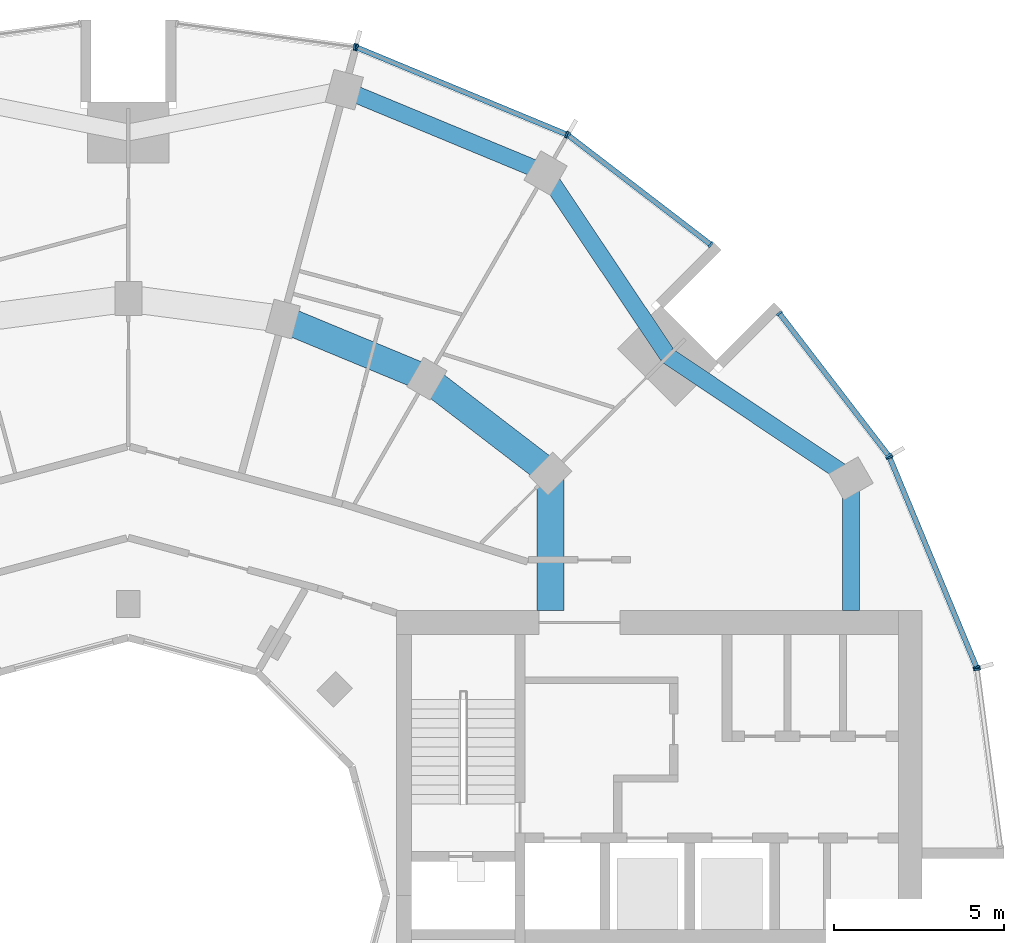
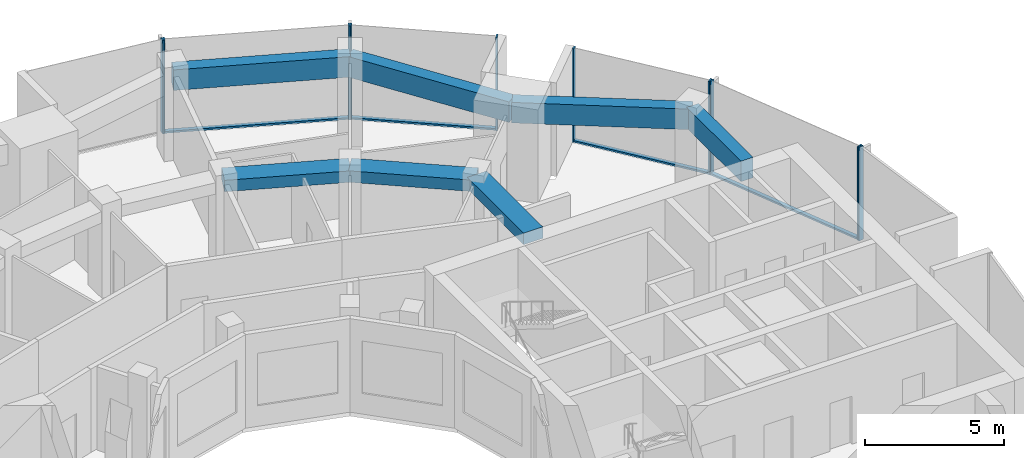
# One storey, part 6 of 15: 14 members, 7 beams, 6 elements without a shape of their own.
"""IFC4 building model written with IfcOpenShell, lengths in metres."""

import ifcopenshell
import ifcopenshell.guid

model = None  # the IFC model being written
_history = None  # IfcOwnerHistory: only IFC2X3 demands one
_inside = {}  # id of a spatial element -> (the spatial element, [elements in it])
_under = {}  # id of a project, library or spatial element -> (it, [spatial elements below it])
_declared = {}  # id of a project -> (the project, [libraries it declares])
_typed = {}  # id of a type object -> (the type object, [elements of that type])
_made_of = {}  # id of a material, layer set ... -> (it, [elements and type objects made of it])


def new_model(schema):
    """Start an empty IFC model of exactly this schema.

    Asked for "IFC4X3", IfcOpenShell would pick the latest addendum, in which some entities
    have other attributes; the version numbers below select the first issue.
    IFC2X3 requires an IfcOwnerHistory on every rooted entity: one is made here for all.
    """
    global model, _history
    if schema == "IFC4X3":
        model = ifcopenshell.file(schema_version=(4, 3, 0, 0))
    else:
        model = ifcopenshell.file(schema=schema)
    _inside.clear()
    _under.clear()
    _declared.clear()
    _typed.clear()
    _made_of.clear()
    _history = None
    if model.schema == "IFC2X3":
        org = make("IfcOrganization", Name="unknown")
        user = make(
            "IfcPersonAndOrganization",
            ThePerson=make("IfcPerson", FamilyName="unknown"),
            TheOrganization=org,
        )
        app = make(
            "IfcApplication",
            ApplicationDeveloper=org,
            Version="unknown",
            ApplicationFullName="unknown",
            ApplicationIdentifier="unknown",
        )
        _history = make(
            "IfcOwnerHistory",
            OwningUser=user,
            OwningApplication=app,
            ChangeAction="ADDED",
            CreationDate=0,
        )
    return model


def make(cls, **values):
    """One entity of the class cls with the attributes given. An attribute that is None is left unset."""
    return model.create_entity(
        cls, **{name: value for name, value in values.items() if value is not None}
    )


def rooted(cls, **values):
    """An entity with a GlobalId (a new one), such as an element, a storey or a relation."""
    return make(cls, GlobalId=ifcopenshell.guid.new(), OwnerHistory=_history, **values)


def si_unit(unit_type, name, prefix=None):
    """IfcSIUnit, for example si_unit("LENGTHUNIT", "METRE", prefix="MILLI")."""
    return make("IfcSIUnit", UnitType=unit_type, Prefix=prefix, Name=name)


def assignment(units):
    """IfcUnitAssignment: the units of a project."""
    return None if units is None else make("IfcUnitAssignment", Units=units)


def point(xyz):
    """IfcCartesianPoint."""
    return None if xyz is None else make("IfcCartesianPoint", Coordinates=xyz)


def direction(xyz):
    """IfcDirection."""
    return None if xyz is None else make("IfcDirection", DirectionRatios=xyz)


def frame(location, z_axis=None, x_axis=None):
    """IfcAxis2Placement3D, a coordinate frame: its origin and axes. An axis left out is left unset."""
    return make(
        "IfcAxis2Placement3D",
        Location=point(location),
        Axis=direction(z_axis),
        RefDirection=direction(x_axis),
    )


def frame_2d(location, x_axis=None):
    """IfcAxis2Placement2D, a coordinate frame in the plane: its origin and x axis."""
    return make(
        "IfcAxis2Placement2D", Location=point(location), RefDirection=direction(x_axis)
    )


def origin():
    """The frame at (0, 0, 0) with its axes left unset."""
    return frame((0.0, 0.0, 0.0))


def origin_2d():
    """The frame at (0, 0) in the plane with its x axis left unset."""
    return frame_2d((0.0, 0.0))


def place(relative_to, where):
    """IfcLocalPlacement: puts the frame where relative to a parent placement (None: the world)."""
    return make(
        "IfcLocalPlacement", PlacementRelTo=relative_to, RelativePlacement=where
    )


def context(
    kind, dimensions, precision=None, world=None, true_north=None, identifier=None
):
    """IfcGeometricRepresentationContext, for example the 3D "Model" context."""
    return make(
        "IfcGeometricRepresentationContext",
        ContextIdentifier=identifier,
        ContextType=kind,
        CoordinateSpaceDimension=dimensions,
        Precision=precision,
        WorldCoordinateSystem=world,
        TrueNorth=true_north,
    )


def subcontext(parent, identifier, kind, view, scale=None):
    """IfcGeometricRepresentationSubContext, for example "Body" below "Model"."""
    return make(
        "IfcGeometricRepresentationSubContext",
        ContextIdentifier=identifier,
        ContextType=kind,
        ParentContext=parent,
        TargetScale=scale,
        TargetView=view,
    )


def project(units=None, contexts=None):
    """IfcProject with its units and contexts."""
    return rooted(
        "IfcProject",
        Name="project",
        RepresentationContexts=contexts,
        UnitsInContext=assignment(units),
    )


def spatial(cls, under=None, at=None, **own):
    """A site, building, storey or space (cls), placed at a placement, below another one or the project."""
    s = rooted(cls, ObjectPlacement=at, **own)
    if under is not None:
        _under.setdefault(under.id(), (under, []))[1].append(s)
    return s


def profile(cls, at=None, kind="AREA", **sizes):
    """A parametric profile (cls). Its sizes go by their IFC names, for example OverallWidth=200.0."""
    return make(cls, ProfileType=kind, Position=at, **sizes)


def rectangle(**sizes):
    """IfcRectangleProfileDef."""
    return profile("IfcRectangleProfileDef", **sizes)


def extrude(swept, where, along, depth):
    """IfcExtrudedAreaSolid: the profile swept, set in the frame where, extruded along a direction by depth."""
    return make(
        "IfcExtrudedAreaSolid",
        SweptArea=swept,
        Position=where,
        ExtrudedDirection=direction(along),
        Depth=depth,
    )


def shape(context_of_items, identifier, shape_type, items):
    """IfcShapeRepresentation: the items that make up one representation, for example the "Body"."""
    return make(
        "IfcShapeRepresentation",
        ContextOfItems=context_of_items,
        RepresentationIdentifier=identifier,
        RepresentationType=shape_type,
        Items=items,
    )


def material(Name=None, Category=None):
    """IfcMaterial."""
    return make("IfcMaterial", Name=Name, Category=Category)


def layer(
    of_material, thickness, ventilated=None, Name=None, Category=None, Priority=None
):
    """IfcMaterialLayer: one layer of a wall or slab, of a material (None: an air gap)."""
    return make(
        "IfcMaterialLayer",
        Material=of_material,
        LayerThickness=thickness,
        IsVentilated=ventilated,
        Name=Name,
        Category=Category,
        Priority=Priority,
    )


def layer_set(layers, Name=None):
    """IfcMaterialLayerSet."""
    return make("IfcMaterialLayerSet", MaterialLayers=layers, LayerSetName=Name)


def material_profile(
    of_material, cross_section, Name=None, Category=None, Priority=None
):
    """IfcMaterialProfile: a cross section and its material."""
    return make(
        "IfcMaterialProfile",
        Name=Name,
        Material=of_material,
        Profile=cross_section,
        Priority=Priority,
        Category=Category,
    )


def profile_set(profiles, Name=None, composite=None):
    """IfcMaterialProfileSet."""
    return make(
        "IfcMaterialProfileSet",
        Name=Name,
        MaterialProfiles=profiles,
        CompositeProfile=composite,
    )


def made_of(thing, what):
    """Note that an element or type object is made of a material, layer set ...; save() writes the relation."""
    if what is not None:
        _made_of.setdefault(what.id(), (what, []))[1].append(thing)
    return thing


def type_object(cls, material=None, **own):
    """A type object (cls), such as IfcWallType, which elements share."""
    return made_of(rooted(cls, **own), material)


def element(
    cls,
    number,
    at=None,
    inside=None,
    cuts=None,
    type_object=None,
    material=None,
    context=None,
    identifier="Body",
    shape_type=None,
    held_by="IfcProductDefinitionShape",
    body=None,
    shapes=None,
    **own,
):
    """One element of the class cls, such as IfcWall. Its Tag is "e" and its number.

    at: its placement. inside: the storey or other place that contains it. cuts: it is an
    opening in that element (IfcRelVoidsElement). A single representation is given by context,
    identifier, shape_type and body (its items); several are given by shapes. held_by: the class
    of the entity that holds the representations. save() writes the other relations.
    """
    e = rooted(cls, Tag="e%d" % number, ObjectPlacement=at, **own)
    if body is not None:
        shapes = [shape(context, identifier, shape_type, body)]
    if shapes is not None:
        e.Representation = make(held_by, Representations=shapes)
    if inside is not None:
        _inside.setdefault(inside.id(), (inside, []))[1].append(e)
    if cuts is not None:
        rooted(
            "IfcRelVoidsElement", RelatingBuildingElement=cuts, RelatedOpeningElement=e
        )
    if type_object is not None:
        _typed.setdefault(type_object.id(), (type_object, []))[1].append(e)
    return made_of(e, material)


def aggregate(whole, parts):
    """IfcRelAggregates: a whole, such as a stair, and the parts it consists of."""
    return rooted("IfcRelAggregates", RelatingObject=whole, RelatedObjects=parts)


def save(model, path):
    """Write the relations noted so far, then the file.

    IfcRelAggregates (storeys below a building ...), IfcRelContainedInSpatialStructure (elements
    in a storey), IfcRelDefinesByType, IfcRelAssociatesMaterial and IfcRelDeclares: one each for
    every whole, place, type object, material and project.
    """
    for whole, parts in _under.values():
        aggregate(whole, parts)
    for where, things in _inside.values():
        rooted(
            "IfcRelContainedInSpatialStructure",
            RelatedElements=things,
            RelatingStructure=where,
        )
    for kind, things in _typed.values():
        rooted("IfcRelDefinesByType", RelatedObjects=things, RelatingType=kind)
    for what, things in _made_of.values():
        rooted("IfcRelAssociatesMaterial", RelatedObjects=things, RelatingMaterial=what)
    for by, libraries in _declared.values():
        rooted("IfcRelDeclares", RelatingContext=by, RelatedDefinitions=libraries)
    model.write(path)


model = new_model("IFC4")

# Units and contexts
model_context = context("Model", 3, precision=1e-05, world=origin(), true_north=direction((0.0, 1.0)))
body_context = subcontext(model_context, "Body", "Model", "MODEL_VIEW")
ifc_project = project(units=[si_unit("LENGTHUNIT", "METRE"), si_unit("AREAUNIT", "SQUARE_METRE"), si_unit("VOLUMEUNIT", "CUBIC_METRE"), si_unit("PLANEANGLEUNIT", "RADIAN"), si_unit("MASSUNIT", "GRAM", prefix="KILO")], contexts=[model_context])

# Site, building, storey
site_placement = place(None, origin())
site = spatial("IfcSite", under=ifc_project, at=site_placement, CompositionType="ELEMENT")
building_placement = place(site_placement, origin())
building = spatial("IfcBuilding", under=site, at=building_placement, Name="Torre Brocal", CompositionType="ELEMENT")
storey_placement = place(building_placement, frame((0.0, 0.0, 174.10009765625)))
storey = spatial("IfcBuildingStorey", under=building, at=storey_placement, Name="L40", CompositionType="ELEMENT", Elevation=174.10009765625)

# Curtain wall, members
ifc_material_1 = material(Name="Aluminium and glass", Category="aluminium")
ifc_layer_1 = layer(ifc_material_1, 0.199951171875)
ifc_layer_set_1 = layer_set([ifc_layer_1], Name="Aluminium and glass")
curtain_wall_type_1 = type_object("IfcCurtainWallType", Name="CW-1 CURTAIN WALL 4100 HIGH", PredefinedType="NOTDEFINED", material=ifc_layer_set_1)
curtain_wall_1_placement = place(storey_placement, origin())
curtain_wall_1 = element("IfcCurtainWall", 1, at=curtain_wall_1_placement, inside=storey, type_object=curtain_wall_type_1, Name="CW-1 RUN 2", PredefinedType="NOTDEFINED")
ifc_material_2 = material(Name="Aluminium, dark anodised", Category="aluminium")
ifc_material_profile_1 = material_profile(ifc_material_2, rectangle(XDim=0.199951171875, YDim=0.06005859375, at=origin_2d()), Name="CW-1 MULLION 60X200")
ifc_profile_set_1 = profile_set([ifc_material_profile_1], Name="Aluminium, dark anodised")
member_type_1 = type_object("IfcMemberType", Name="CW-1 MULLION 60X200", PredefinedType="MULLION", material=ifc_profile_set_1)
member_1_placement = place(storey_placement, frame((105.005126953125, 81.73095703125, 0.0), z_axis=(0.0, 0.0, 1.0), x_axis=(-0.923879532525, -0.382683432333, 0.0)))
member_1 = element("IfcMember", 2, at=member_1_placement, type_object=member_type_1, Name="CW1-4 mullion 1", PredefinedType="MULLION", context=body_context, shape_type="SweptSolid", body=[
    extrude(rectangle(XDim=0.199951171875, YDim=0.06005859375, at=origin_2d()), origin(), (0.0, 0.0, 1.0), 4.099853515625),
])
member_2_placement = place(storey_placement, frame((102.440673828125, 87.921875, 0.0), z_axis=(0.0, 0.0, 1.0), x_axis=(-0.923879532525, -0.382683432333, 0.0)))
member_2 = element("IfcMember", 3, at=member_2_placement, type_object=member_type_1, Name="CW1-4 mullion 2", PredefinedType="MULLION", context=body_context, shape_type="SweptSolid", body=[
    extrude(rectangle(XDim=0.199951171875, YDim=0.06005859375, at=origin_2d()), origin(), (0.0, 0.0, 1.0), 4.099853515625),
])

curtain_wall_2_placement = place(storey_placement, origin())
curtain_wall_2 = element("IfcCurtainWall", 4, at=curtain_wall_2_placement, inside=storey, type_object=curtain_wall_type_1, Name="CW-1 RUN 3", PredefinedType="NOTDEFINED")
member_3_placement = place(storey_placement, frame((102.4111328125, 87.973388671875, 0.0), z_axis=(0.0, 0.0, 1.0), x_axis=(-0.793353340259, -0.60876142905, 0.0)))
member_3 = element("IfcMember", 5, at=member_3_placement, type_object=member_type_1, Name="CW1-4 mullion 1", PredefinedType="MULLION", context=body_context, shape_type="SweptSolid", body=[
    extrude(rectangle(XDim=0.199951171875, YDim=0.06005859375, at=origin_2d()), origin(), (0.0, 0.0, 1.0), 4.099853515625),
])
member_4_placement = place(storey_placement, frame((99.19140625, 92.16943359375, 0.0), z_axis=(0.0, 0.0, 1.0), x_axis=(-0.793353340259, -0.60876142905, 0.0)))
member_4 = element("IfcMember", 6, at=member_4_placement, type_object=member_type_1, Name="CW1-4 mullion 2", PredefinedType="MULLION", context=body_context, shape_type="SweptSolid", body=[
    extrude(rectangle(XDim=0.199951171875, YDim=0.06005859375, at=origin_2d()), origin(), (0.0, 0.0, 1.0), 4.099853515625),
])

curtain_wall_3_placement = place(storey_placement, origin())
curtain_wall_3 = element("IfcCurtainWall", 7, at=curtain_wall_3_placement, inside=storey, type_object=curtain_wall_type_1, Name="CW-1 RUN 4", PredefinedType="NOTDEFINED")
member_5_placement = place(storey_placement, frame((97.16943359375, 94.19140625, 0.0), z_axis=(0.0, 0.0, 1.0), x_axis=(-0.60876142905, -0.793353340259, 0.0)))
member_5 = element("IfcMember", 8, at=member_5_placement, type_object=member_type_1, Name="CW1-4 mullion 1", PredefinedType="MULLION", context=body_context, shape_type="SweptSolid", body=[
    extrude(rectangle(XDim=0.199951171875, YDim=0.06005859375, at=origin_2d()), origin(), (0.0, 0.0, 1.0), 4.099853515625),
])
member_6_placement = place(storey_placement, frame((92.973388671875, 97.4111328125, 0.0), z_axis=(0.0, 0.0, 1.0), x_axis=(-0.60876142905, -0.793353340259, 0.0)))
member_6 = element("IfcMember", 9, at=member_6_placement, type_object=member_type_1, Name="CW1-4 mullion 2", PredefinedType="MULLION", context=body_context, shape_type="SweptSolid", body=[
    extrude(rectangle(XDim=0.199951171875, YDim=0.06005859375, at=origin_2d()), origin(), (0.0, 0.0, 1.0), 4.099853515625),
])

curtain_wall_4_placement = place(storey_placement, origin())
curtain_wall_4 = element("IfcCurtainWall", 10, at=curtain_wall_4_placement, inside=storey, type_object=curtain_wall_type_1, Name="CW-1 RUN 5", PredefinedType="NOTDEFINED")
member_7_placement = place(storey_placement, frame((92.921875, 97.440673828125, 0.0), z_axis=(0.0, 0.0, 1.0), x_axis=(-0.382683432333, -0.923879532525, 0.0)))
member_7 = element("IfcMember", 11, at=member_7_placement, type_object=member_type_1, Name="CW1-4 mullion 1", PredefinedType="MULLION", context=body_context, shape_type="SweptSolid", body=[
    extrude(rectangle(XDim=0.199951171875, YDim=0.06005859375, at=origin_2d()), origin(), (0.0, 0.0, 1.0), 4.099853515625),
])
member_8_placement = place(storey_placement, frame((86.73095703125, 100.005126953125, 0.0), z_axis=(0.0, 0.0, 1.0), x_axis=(-0.382683432333, -0.923879532525, 0.0)))
member_8 = element("IfcMember", 12, at=member_8_placement, type_object=member_type_1, Name="CW1-4 mullion 2", PredefinedType="MULLION", context=body_context, shape_type="SweptSolid", body=[
    extrude(rectangle(XDim=0.199951171875, YDim=0.06005859375, at=origin_2d()), origin(), (0.0, 0.0, 1.0), 4.099853515625),
])

# Curtain wall, member
curtain_wall_5_placement = place(storey_placement, origin())
curtain_wall_5 = element("IfcCurtainWall", 13, at=curtain_wall_5_placement, inside=storey, type_object=curtain_wall_type_1, Name="CW-1 RUN 6", PredefinedType="NOTDEFINED")
member_9_placement = place(storey_placement, frame((86.67333984375, 100.0205078125, 0.0), z_axis=(0.0, 0.0, 1.0), x_axis=(-0.13052619222, -0.991444861374, 0.0)))
member_9 = element("IfcMember", 14, at=member_9_placement, type_object=member_type_1, Name="CW1-4 mullion 1", PredefinedType="MULLION", context=body_context, shape_type="SweptSolid", body=[
    extrude(rectangle(XDim=0.199951171875, YDim=0.06005859375, at=origin_2d()), origin(), (0.0, 0.0, 1.0), 4.099853515625),
])
aggregate(curtain_wall_5, [member_9])

# Member
ifc_material_3 = material(Name="Aluminium, dark anodised", Category="aluminium")
ifc_material_profile_2 = material_profile(ifc_material_3, rectangle(XDim=0.159912109375, YDim=0.080078125, at=origin_2d()), Name="CW-1 TRANSOM 160X80")
ifc_profile_set_2 = profile_set([ifc_material_profile_2], Name="Aluminium, dark anodised")
member_type_2 = type_object("IfcMemberType", Name="CW-1 TRANSOM 160X80", PredefinedType="USERDEFINED", material=ifc_profile_set_2)
member_10_placement = place(storey_placement, frame((104.99365234375, 81.758544921875, 0.039794921875), z_axis=(-0.38266457234, 0.923887344364, 0.0), x_axis=(-0.923887344364, -0.38266457234, 0.0)))
member_10 = element("IfcMember", 15, at=member_10_placement, type_object=member_type_2, Name="CW1-4 transom 1.1", ObjectType="TRANSOM", PredefinedType="USERDEFINED", context=body_context, shape_type="SweptSolid", body=[
    extrude(rectangle(XDim=0.159912109375, YDim=0.080078125, at=origin_2d()), origin(), (0.0, 0.0, 1.0), 6.640869140625),
])

aggregate(curtain_wall_1, [member_1, member_2, member_10])

member_11_placement = place(storey_placement, frame((102.392822265625, 87.9970703125, 0.039794921875), z_axis=(-0.60874908096, 0.79336281513, 0.0), x_axis=(-0.79336281513, -0.60874908096, 0.0)))
member_11 = element("IfcMember", 16, at=member_11_placement, type_object=member_type_2, Name="CW1-4 transom 1.1", ObjectType="TRANSOM", PredefinedType="USERDEFINED", context=body_context, shape_type="SweptSolid", body=[
    extrude(rectangle(XDim=0.159912109375, YDim=0.080078125, at=origin_2d()), origin(), (0.0, 0.0, 1.0), 5.22900390625),
])

aggregate(curtain_wall_2, [member_3, member_4, member_11])

member_12_placement = place(storey_placement, frame((97.1455078125, 94.209716796875, 0.039794921875), z_axis=(-0.79336281513, 0.60874908096, 0.0), x_axis=(-0.60874908096, -0.79336281513, 0.0)))
member_12 = element("IfcMember", 17, at=member_12_placement, type_object=member_type_2, Name="CW1-4 transom 1.1", ObjectType="TRANSOM", PredefinedType="USERDEFINED", context=body_context, shape_type="SweptSolid", body=[
    extrude(rectangle(XDim=0.159912109375, YDim=0.080078125, at=origin_2d()), origin(), (0.0, 0.0, 1.0), 5.22900390625),
])

aggregate(curtain_wall_3, [member_5, member_6, member_12])

member_13_placement = place(storey_placement, frame((92.89404296875, 97.452392578125, 0.039794921875), z_axis=(-0.923887344364, 0.38266457234, 0.0), x_axis=(-0.38266457234, -0.923887344364, 0.0)))
member_13 = element("IfcMember", 18, at=member_13_placement, type_object=member_type_2, Name="CW1-4 transom 1.1", ObjectType="TRANSOM", PredefinedType="USERDEFINED", context=body_context, shape_type="SweptSolid", body=[
    extrude(rectangle(XDim=0.159912109375, YDim=0.080078125, at=origin_2d()), origin(), (0.0, 0.0, 1.0), 6.640869140625),
])

aggregate(curtain_wall_4, [member_7, member_8, member_13])

# Curtain wall, member
ifc_material_4 = material(Name="Aluminium and glass", Category="aluminium")
ifc_layer_2 = layer(ifc_material_4, 0.199951171875)
ifc_layer_set_2 = layer_set([ifc_layer_2], Name="Aluminium and glass")
curtain_wall_type_2 = type_object("IfcCurtainWallType", Name="CW-1B CURTAIN WALL 4100 HIGH", PredefinedType="NOTDEFINED", material=ifc_layer_set_2)
curtain_wall_6_placement = place(storey_placement, origin())
curtain_wall_6 = element("IfcCurtainWall", 19, at=curtain_wall_6_placement, inside=storey, type_object=curtain_wall_type_2, Name="CW-1B RUN 1", PredefinedType="NOTDEFINED")
ifc_material_5 = material(Name="Aluminium, dark anodised", Category="aluminium")
ifc_material_profile_3 = material_profile(ifc_material_5, rectangle(XDim=0.199951171875, YDim=0.06005859375, at=origin_2d()), Name="CW-1B MULLION 60X200")
ifc_profile_set_3 = profile_set([ifc_material_profile_3], Name="Aluminium, dark anodised")
member_type_3 = type_object("IfcMemberType", Name="CW-1B MULLION 60X200", PredefinedType="MULLION", material=ifc_profile_set_3)
member_14_placement = place(storey_placement, frame((105.0205078125, 81.67333984375, 0.0), z_axis=(0.0, 0.0, 1.0), x_axis=(-0.991444861374, -0.13052619222, 0.0)))
member_14 = element("IfcMember", 20, at=member_14_placement, type_object=member_type_3, Name="CW1B-4 mullion 2", PredefinedType="MULLION", context=body_context, shape_type="SweptSolid", body=[
    extrude(rectangle(XDim=0.199951171875, YDim=0.06005859375, at=origin_2d()), origin(), (0.0, 0.0, 1.0), 4.099853515625),
])
aggregate(curtain_wall_6, [member_14])

# Beams
ifc_material_6 = material(Name="Concrete C50", Category="concrete")
ifc_material_profile_4 = material_profile(ifc_material_6, rectangle(XDim=0.800048828125, YDim=0.5, at=origin_2d()), Name="RC 800X500")
ifc_profile_set_4 = profile_set([ifc_material_profile_4], Name="Concrete C50")
beam_type_1 = type_object("IfcBeamType", Name="RC BEAM 800X500 C50 TOP 3780", PredefinedType="BEAM", material=ifc_profile_set_4)
beam_1_placement = place(storey_placement, frame((92.445068359375, 87.445068359375, 3.52978515625), z_axis=(-0.793358265959, 0.6087550097, 0.0), x_axis=(-0.6087550097, -0.793358265959, 0.0)))
element("IfcBeam", 21, at=beam_1_placement, inside=storey, type_object=beam_type_1, Name="Beam BT-32", PredefinedType="BEAM", context=body_context, shape_type="SweptSolid", body=[
    extrude(rectangle(XDim=0.800048828125, YDim=0.5, at=origin_2d()), origin(), (0.0, 0.0, 1.0), 4.594482421875),
])
beam_2_placement = place(storey_placement, frame((88.800048828125, 90.241943359375, 3.52978515625), z_axis=(-0.923878240166, 0.382686552348, 0.0), x_axis=(-0.382686552348, -0.923878240166, 0.0)))
element("IfcBeam", 22, at=beam_2_placement, inside=storey, type_object=beam_type_1, Name="Beam BT-32", PredefinedType="BEAM", context=body_context, shape_type="SweptSolid", body=[
    extrude(rectangle(XDim=0.800048828125, YDim=0.5, at=origin_2d()), origin(), (0.0, 0.0, 1.0), 4.5947265625),
])
beam_3_placement = place(storey_placement, frame((92.445068359375, 87.445068359375, 3.52978515625), z_axis=(0.0, -1.0, 0.0), x_axis=(1.0, 0.0, 0.0)))
element("IfcBeam", 23, at=beam_3_placement, inside=storey, type_object=beam_type_1, Name="Beam BT-32", PredefinedType="BEAM", context=body_context, shape_type="SweptSolid", body=[
    extrude(rectangle(XDim=0.800048828125, YDim=0.5, at=origin_2d()), origin(), (0.0, 0.0, 1.0), 4.045166015625),
])
ifc_material_7 = material(Name="Concrete C50", Category="concrete")
ifc_material_profile_5 = material_profile(ifc_material_7, rectangle(XDim=0.5, YDim=0.89990234375, at=origin_2d()), Name="RC 500X900")
ifc_profile_set_5 = profile_set([ifc_material_profile_5], Name="Concrete C50")
beam_type_2 = type_object("IfcBeamType", Name="RC SPANDREL BEAM 500X900 C50 TOP 3780", PredefinedType="SPANDREL", material=ifc_profile_set_5)
for number, where, z_axis, x_axis, name in (
    (24, (101.30419921875, 87.300048828125, 3.329833984375), (-0.831076844476, 0.556157602282, 0.0), (-0.556157602282, -0.831076844476, 0.0), "Beam BT-33"),
    (25, (95.909912109375, 90.909912109375, 3.329833984375), (-0.556157602282, 0.831076844476, 0.0), (-0.831076844476, -0.556157602282, 0.0), "Beam BT-33"),
):
    element("IfcBeam", number, at=place(storey_placement, frame(where, z_axis=z_axis, x_axis=x_axis)), inside=storey, type_object=beam_type_2, Name=name, PredefinedType="SPANDREL", context=body_context, shape_type="SweptSolid", body=[
        extrude(rectangle(XDim=0.5, YDim=0.89990234375, at=origin_2d()), origin(), (0.0, 0.0, 1.0), 6.49072265625),
    ])
beam_4_placement = place(storey_placement, frame((92.300048828125, 96.30419921875, 3.329833984375), z_axis=(-0.923882462513, 0.382676358639, 0.0), x_axis=(-0.382676358639, -0.923882462513, 0.0)))
element("IfcBeam", 26, at=beam_4_placement, inside=storey, type_object=beam_type_2, Name="Beam BT-33", PredefinedType="SPANDREL", context=body_context, shape_type="SweptSolid", body=[
    extrude(rectangle(XDim=0.5, YDim=0.89990234375, at=origin_2d()), origin(), (0.0, 0.0, 1.0), 6.421875),
])
beam_5_placement = place(storey_placement, frame((101.30419921875, 87.300048828125, 3.329833984375), z_axis=(0.0, -1.0, 0.0), x_axis=(1.0, 0.0, 0.0)))
element("IfcBeam", 27, at=beam_5_placement, inside=storey, type_object=beam_type_2, Name="Beam BT-33", PredefinedType="SPANDREL", context=body_context, shape_type="SweptSolid", body=[
    extrude(rectangle(XDim=0.5, YDim=0.89990234375, at=origin_2d()), origin(), (0.0, 0.0, 1.0), 3.900146484375),
])

save(model, "model.ifc")
